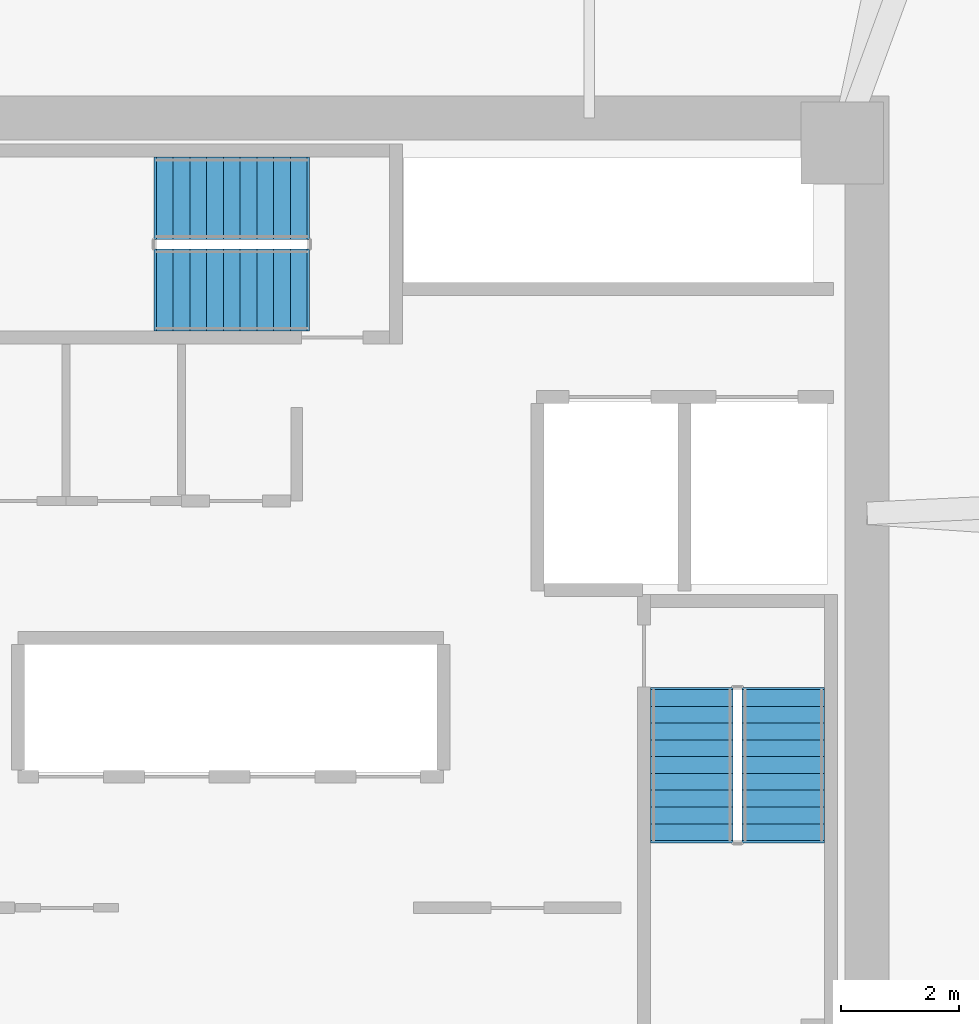
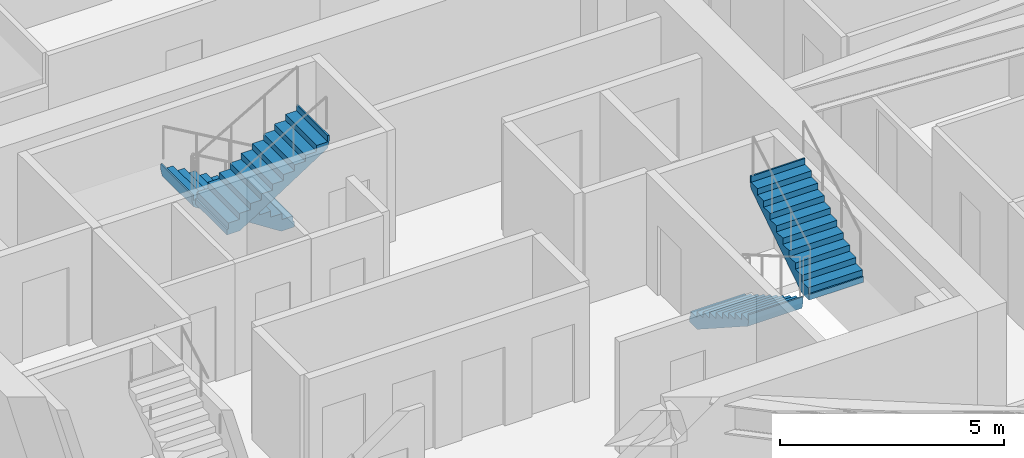
# One storey, part 13 of 14: 4 stair flights, 2 elements without a shape of their own.
"""IFC4 building model written with IfcOpenShell, lengths in metres."""

import ifcopenshell
import ifcopenshell.guid

model = None  # the IFC model being written
_history = None  # IfcOwnerHistory: only IFC2X3 demands one
_inside = {}  # id of a spatial element -> (the spatial element, [elements in it])
_under = {}  # id of a project, library or spatial element -> (it, [spatial elements below it])
_declared = {}  # id of a project -> (the project, [libraries it declares])
_typed = {}  # id of a type object -> (the type object, [elements of that type])
_made_of = {}  # id of a material, layer set ... -> (it, [elements and type objects made of it])


def new_model(schema):
    """Start an empty IFC model of exactly this schema.

    Asked for "IFC4X3", IfcOpenShell would pick the latest addendum, in which some entities
    have other attributes; the version numbers below select the first issue.
    IFC2X3 requires an IfcOwnerHistory on every rooted entity: one is made here for all.
    """
    global model, _history
    if schema == "IFC4X3":
        model = ifcopenshell.file(schema_version=(4, 3, 0, 0))
    else:
        model = ifcopenshell.file(schema=schema)
    _inside.clear()
    _under.clear()
    _declared.clear()
    _typed.clear()
    _made_of.clear()
    _history = None
    if model.schema == "IFC2X3":
        org = make("IfcOrganization", Name="unknown")
        user = make(
            "IfcPersonAndOrganization",
            ThePerson=make("IfcPerson", FamilyName="unknown"),
            TheOrganization=org,
        )
        app = make(
            "IfcApplication",
            ApplicationDeveloper=org,
            Version="unknown",
            ApplicationFullName="unknown",
            ApplicationIdentifier="unknown",
        )
        _history = make(
            "IfcOwnerHistory",
            OwningUser=user,
            OwningApplication=app,
            ChangeAction="ADDED",
            CreationDate=0,
        )
    return model


def make(cls, **values):
    """One entity of the class cls with the attributes given. An attribute that is None is left unset."""
    return model.create_entity(
        cls, **{name: value for name, value in values.items() if value is not None}
    )


def rooted(cls, **values):
    """An entity with a GlobalId (a new one), such as an element, a storey or a relation."""
    return make(cls, GlobalId=ifcopenshell.guid.new(), OwnerHistory=_history, **values)


def si_unit(unit_type, name, prefix=None):
    """IfcSIUnit, for example si_unit("LENGTHUNIT", "METRE", prefix="MILLI")."""
    return make("IfcSIUnit", UnitType=unit_type, Prefix=prefix, Name=name)


def assignment(units):
    """IfcUnitAssignment: the units of a project."""
    return None if units is None else make("IfcUnitAssignment", Units=units)


def point(xyz):
    """IfcCartesianPoint."""
    return None if xyz is None else make("IfcCartesianPoint", Coordinates=xyz)


def direction(xyz):
    """IfcDirection."""
    return None if xyz is None else make("IfcDirection", DirectionRatios=xyz)


def frame(location, z_axis=None, x_axis=None):
    """IfcAxis2Placement3D, a coordinate frame: its origin and axes. An axis left out is left unset."""
    return make(
        "IfcAxis2Placement3D",
        Location=point(location),
        Axis=direction(z_axis),
        RefDirection=direction(x_axis),
    )


def origin():
    """The frame at (0, 0, 0) with its axes left unset."""
    return frame((0.0, 0.0, 0.0))


def place(relative_to, where):
    """IfcLocalPlacement: puts the frame where relative to a parent placement (None: the world)."""
    return make(
        "IfcLocalPlacement", PlacementRelTo=relative_to, RelativePlacement=where
    )


def context(
    kind, dimensions, precision=None, world=None, true_north=None, identifier=None
):
    """IfcGeometricRepresentationContext, for example the 3D "Model" context."""
    return make(
        "IfcGeometricRepresentationContext",
        ContextIdentifier=identifier,
        ContextType=kind,
        CoordinateSpaceDimension=dimensions,
        Precision=precision,
        WorldCoordinateSystem=world,
        TrueNorth=true_north,
    )


def subcontext(parent, identifier, kind, view, scale=None):
    """IfcGeometricRepresentationSubContext, for example "Body" below "Model"."""
    return make(
        "IfcGeometricRepresentationSubContext",
        ContextIdentifier=identifier,
        ContextType=kind,
        ParentContext=parent,
        TargetScale=scale,
        TargetView=view,
    )


def project(units=None, contexts=None):
    """IfcProject with its units and contexts."""
    return rooted(
        "IfcProject",
        Name="project",
        RepresentationContexts=contexts,
        UnitsInContext=assignment(units),
    )


def spatial(cls, under=None, at=None, **own):
    """A site, building, storey or space (cls), placed at a placement, below another one or the project."""
    s = rooted(cls, ObjectPlacement=at, **own)
    if under is not None:
        _under.setdefault(under.id(), (under, []))[1].append(s)
    return s


def polyline(points):
    """IfcPolyline through the points."""
    return make("IfcPolyline", Points=[point(p) for p in points])


def outline(outer, holes=None, kind="AREA"):
    """IfcArbitraryClosedProfileDef: a profile drawn as a closed curve; with holes, ...WithVoids."""
    if holes is None:
        return make("IfcArbitraryClosedProfileDef", ProfileType=kind, OuterCurve=outer)
    return make(
        "IfcArbitraryProfileDefWithVoids",
        ProfileType=kind,
        OuterCurve=outer,
        InnerCurves=holes,
    )


def extrude(swept, where, along, depth):
    """IfcExtrudedAreaSolid: the profile swept, set in the frame where, extruded along a direction by depth."""
    return make(
        "IfcExtrudedAreaSolid",
        SweptArea=swept,
        Position=where,
        ExtrudedDirection=direction(along),
        Depth=depth,
    )


def shape(context_of_items, identifier, shape_type, items):
    """IfcShapeRepresentation: the items that make up one representation, for example the "Body"."""
    return make(
        "IfcShapeRepresentation",
        ContextOfItems=context_of_items,
        RepresentationIdentifier=identifier,
        RepresentationType=shape_type,
        Items=items,
    )


def material(Name=None, Category=None):
    """IfcMaterial."""
    return make("IfcMaterial", Name=Name, Category=Category)


def made_of(thing, what):
    """Note that an element or type object is made of a material, layer set ...; save() writes the relation."""
    if what is not None:
        _made_of.setdefault(what.id(), (what, []))[1].append(thing)
    return thing


def type_object(cls, material=None, **own):
    """A type object (cls), such as IfcWallType, which elements share."""
    return made_of(rooted(cls, **own), material)


def element(
    cls,
    number,
    at=None,
    inside=None,
    cuts=None,
    type_object=None,
    material=None,
    context=None,
    identifier="Body",
    shape_type=None,
    held_by="IfcProductDefinitionShape",
    body=None,
    shapes=None,
    **own,
):
    """One element of the class cls, such as IfcWall. Its Tag is "e" and its number.

    at: its placement. inside: the storey or other place that contains it. cuts: it is an
    opening in that element (IfcRelVoidsElement). A single representation is given by context,
    identifier, shape_type and body (its items); several are given by shapes. held_by: the class
    of the entity that holds the representations. save() writes the other relations.
    """
    e = rooted(cls, Tag="e%d" % number, ObjectPlacement=at, **own)
    if body is not None:
        shapes = [shape(context, identifier, shape_type, body)]
    if shapes is not None:
        e.Representation = make(held_by, Representations=shapes)
    if inside is not None:
        _inside.setdefault(inside.id(), (inside, []))[1].append(e)
    if cuts is not None:
        rooted(
            "IfcRelVoidsElement", RelatingBuildingElement=cuts, RelatedOpeningElement=e
        )
    if type_object is not None:
        _typed.setdefault(type_object.id(), (type_object, []))[1].append(e)
    return made_of(e, material)


def aggregate(whole, parts):
    """IfcRelAggregates: a whole, such as a stair, and the parts it consists of."""
    return rooted("IfcRelAggregates", RelatingObject=whole, RelatedObjects=parts)


def save(model, path):
    """Write the relations noted so far, then the file.

    IfcRelAggregates (storeys below a building ...), IfcRelContainedInSpatialStructure (elements
    in a storey), IfcRelDefinesByType, IfcRelAssociatesMaterial and IfcRelDeclares: one each for
    every whole, place, type object, material and project.
    """
    for whole, parts in _under.values():
        aggregate(whole, parts)
    for where, things in _inside.values():
        rooted(
            "IfcRelContainedInSpatialStructure",
            RelatedElements=things,
            RelatingStructure=where,
        )
    for kind, things in _typed.values():
        rooted("IfcRelDefinesByType", RelatedObjects=things, RelatingType=kind)
    for what, things in _made_of.values():
        rooted("IfcRelAssociatesMaterial", RelatedObjects=things, RelatingMaterial=what)
    for by, libraries in _declared.values():
        rooted("IfcRelDeclares", RelatingContext=by, RelatedDefinitions=libraries)
    model.write(path)


model = new_model("IFC4")

# Units and contexts
model_context = context("Model", 3, precision=1e-05, world=origin(), true_north=direction((0.0, 1.0)))
body_context = subcontext(model_context, "Body", "Model", "MODEL_VIEW")
ifc_project = project(units=[si_unit("LENGTHUNIT", "METRE"), si_unit("AREAUNIT", "SQUARE_METRE"), si_unit("VOLUMEUNIT", "CUBIC_METRE"), si_unit("PLANEANGLEUNIT", "RADIAN"), si_unit("MASSUNIT", "GRAM", prefix="KILO")], contexts=[model_context])

# Site, building, storey
site_placement = place(None, origin())
site = spatial("IfcSite", under=ifc_project, at=site_placement, CompositionType="ELEMENT")
building_placement = place(site_placement, origin())
building = spatial("IfcBuilding", under=site, at=building_placement, Name="Durnholm Broadcast Tower", CompositionType="ELEMENT")
storey_placement = place(building_placement, frame((0.0, 0.0, 107.39990234375)))
storey = spatial("IfcBuildingStorey", under=building, at=storey_placement, Name="L28", CompositionType="ELEMENT", Elevation=107.39990234375)

# Stair, stair flights
ifc_material = material(Name="Concrete C50/60", Category="concrete")
stair_type = type_object("IfcStairType", Name="STAIR-DL-20R1650", PredefinedType="HALF_TURN_STAIR", material=ifc_material)
stair_1_placement = place(storey_placement, origin())
stair_1 = element("IfcStair", 1, at=stair_1_placement, inside=storey, type_object=stair_type, Name="L28 ST-2", PredefinedType="HALF_TURN_STAIR")
stair_flight_type = type_object("IfcStairFlightType", Name="FLIGHT-DL-20R1650", PredefinedType="STRAIGHT", material=ifc_material)
stair_flight_1_placement = place(storey_placement, frame((7.239990234375, -1.5, 0.0), z_axis=(0.0, 0.0, 1.0), x_axis=(0.0, -1.0, 0.0)))
stair_flight_1 = element("IfcStairFlight", 2, at=stair_flight_1_placement, type_object=stair_flight_type, Name="ST-2 flight 1", NumberOfRisers=10, NumberOfTreads=9, PredefinedType="STRAIGHT", RiserHeight=0.165, TreadLength=0.285, context=body_context, shape_type="SweptSolid", body=[
    extrude(outline(polyline([(-0.0400390625, -0.14990234375), (-0.0400390625, 0.0), (0.0, 0.0), (0.0, 0.1650390625), (0.284912109375, 0.1650390625), (0.284912109375, 0.330078125), (0.570068359375, 0.330078125), (0.570068359375, 0.4951171875), (0.85498046875, 0.4951171875), (0.85498046875, 0.659912109375), (1.139892578125, 0.659912109375), (1.139892578125, 0.824951171875), (1.425048828125, 0.824951171875), (1.425048828125, 0.989990234375), (1.7099609375, 0.989990234375), (1.7099609375, 1.155029296875), (1.9951171875, 1.155029296875), (1.9951171875, 1.320068359375), (2.280029296875, 1.320068359375), (2.280029296875, 1.485107421875), (2.56494140625, 1.485107421875), (2.56494140625, 1.64990234375), (2.60498046875, 1.64990234375), (2.60498046875, 1.5), (2.56494140625, 1.311767578125), (0.299072265625, -0.14990234375), (-0.0400390625, -0.14990234375)])), frame((0.0, 0.699951171875, 0.0), z_axis=(0.0, -1.0, 0.0), x_axis=(1.0, 0.0, 0.0)), (0.0, 0.0, 1.0), 1.39990234375),
])
stair_flight_2_placement = place(storey_placement, frame((8.800048828125, -4.06494140625, 1.650146484375), z_axis=(0.0, 0.0, 1.0), x_axis=(0.0, 1.0, 0.0)))
stair_flight_2 = element("IfcStairFlight", 3, at=stair_flight_2_placement, type_object=stair_flight_type, Name="ST-2 flight 2", NumberOfRisers=10, NumberOfTreads=9, PredefinedType="STRAIGHT", RiserHeight=0.165, TreadLength=0.285, context=body_context, shape_type="SweptSolid", body=[
    extrude(outline(polyline([(-0.0400390625, -0.14990234375), (-0.0400390625, 0.0), (0.0, 0.0), (0.0, 0.1650390625), (0.284912109375, 0.1650390625), (0.284912109375, 0.330078125), (0.570068359375, 0.330078125), (0.570068359375, 0.4951171875), (0.85498046875, 0.4951171875), (0.85498046875, 0.659912109375), (1.139892578125, 0.659912109375), (1.139892578125, 0.824951171875), (1.425048828125, 0.824951171875), (1.425048828125, 0.989990234375), (1.7099609375, 0.989990234375), (1.7099609375, 1.155029296875), (1.9951171875, 1.155029296875), (1.9951171875, 1.320068359375), (2.280029296875, 1.320068359375), (2.280029296875, 1.485107421875), (2.56494140625, 1.485107421875), (2.56494140625, 1.64990234375), (2.60498046875, 1.64990234375), (2.60498046875, 1.5), (2.56494140625, 1.311767578125), (0.299072265625, -0.14990234375), (-0.0400390625, -0.14990234375)])), frame((0.0, 0.699951171875, 0.0), z_axis=(0.0, -1.0, 0.0), x_axis=(1.0, 0.0, 0.0)), (0.0, 0.0, 1.0), 1.39990234375),
])
aggregate(stair_1, [stair_flight_1, stair_flight_2])

stair_2_placement = place(storey_placement, origin())
stair_2 = element("IfcStair", 4, at=stair_2_placement, inside=storey, type_object=stair_type, Name="L28 ST-3", PredefinedType="HALF_TURN_STAIR")
stair_flight_3_placement = place(storey_placement, frame((0.699951171875, 6.860107421875, 0.0), z_axis=(0.0, 0.0, 1.0), x_axis=(-1.0, 0.0, 0.0)))
stair_flight_3 = element("IfcStairFlight", 5, at=stair_flight_3_placement, type_object=stair_flight_type, Name="ST-3 flight 1", NumberOfRisers=10, NumberOfTreads=9, PredefinedType="STRAIGHT", RiserHeight=0.165, TreadLength=0.285, context=body_context, shape_type="SweptSolid", body=[
    extrude(outline(polyline([(-0.0400390625, -0.14990234375), (-0.0400390625, 0.0), (0.0, 0.0), (0.0, 0.1650390625), (0.284912109375, 0.1650390625), (0.284912109375, 0.330078125), (0.570068359375, 0.330078125), (0.570068359375, 0.4951171875), (0.85498046875, 0.4951171875), (0.85498046875, 0.659912109375), (1.139892578125, 0.659912109375), (1.139892578125, 0.824951171875), (1.425048828125, 0.824951171875), (1.425048828125, 0.989990234375), (1.7099609375, 0.989990234375), (1.7099609375, 1.155029296875), (1.9951171875, 1.155029296875), (1.9951171875, 1.320068359375), (2.280029296875, 1.320068359375), (2.280029296875, 1.485107421875), (2.56494140625, 1.485107421875), (2.56494140625, 1.64990234375), (2.60498046875, 1.64990234375), (2.60498046875, 1.5), (2.56494140625, 1.311767578125), (0.299072265625, -0.14990234375), (-0.0400390625, -0.14990234375)])), frame((0.0, 0.699951171875, 0.0), z_axis=(0.0, -1.0, 0.0), x_axis=(1.0, 0.0, 0.0)), (0.0, 0.0, 1.0), 1.39990234375),
])
stair_flight_4_placement = place(storey_placement, frame((-1.864990234375, 5.300048828125, 1.650146484375), z_axis=(0.0, 0.0, 1.0), x_axis=(1.0, 0.0, 0.0)))
stair_flight_4 = element("IfcStairFlight", 6, at=stair_flight_4_placement, type_object=stair_flight_type, Name="ST-3 flight 2", NumberOfRisers=10, NumberOfTreads=9, PredefinedType="STRAIGHT", RiserHeight=0.165, TreadLength=0.285, context=body_context, shape_type="SweptSolid", body=[
    extrude(outline(polyline([(-0.0400390625, -0.14990234375), (-0.0400390625, 0.0), (0.0, 0.0), (0.0, 0.1650390625), (0.284912109375, 0.1650390625), (0.284912109375, 0.330078125), (0.570068359375, 0.330078125), (0.570068359375, 0.4951171875), (0.85498046875, 0.4951171875), (0.85498046875, 0.659912109375), (1.139892578125, 0.659912109375), (1.139892578125, 0.824951171875), (1.425048828125, 0.824951171875), (1.425048828125, 0.989990234375), (1.7099609375, 0.989990234375), (1.7099609375, 1.155029296875), (1.9951171875, 1.155029296875), (1.9951171875, 1.320068359375), (2.280029296875, 1.320068359375), (2.280029296875, 1.485107421875), (2.56494140625, 1.485107421875), (2.56494140625, 1.64990234375), (2.60498046875, 1.64990234375), (2.60498046875, 1.5), (2.56494140625, 1.311767578125), (0.299072265625, -0.14990234375), (-0.0400390625, -0.14990234375)])), frame((0.0, 0.699951171875, 0.0), z_axis=(0.0, -1.0, 0.0), x_axis=(1.0, 0.0, 0.0)), (0.0, 0.0, 1.0), 1.39990234375),
])
aggregate(stair_2, [stair_flight_3, stair_flight_4])

save(model, "model.ifc")
